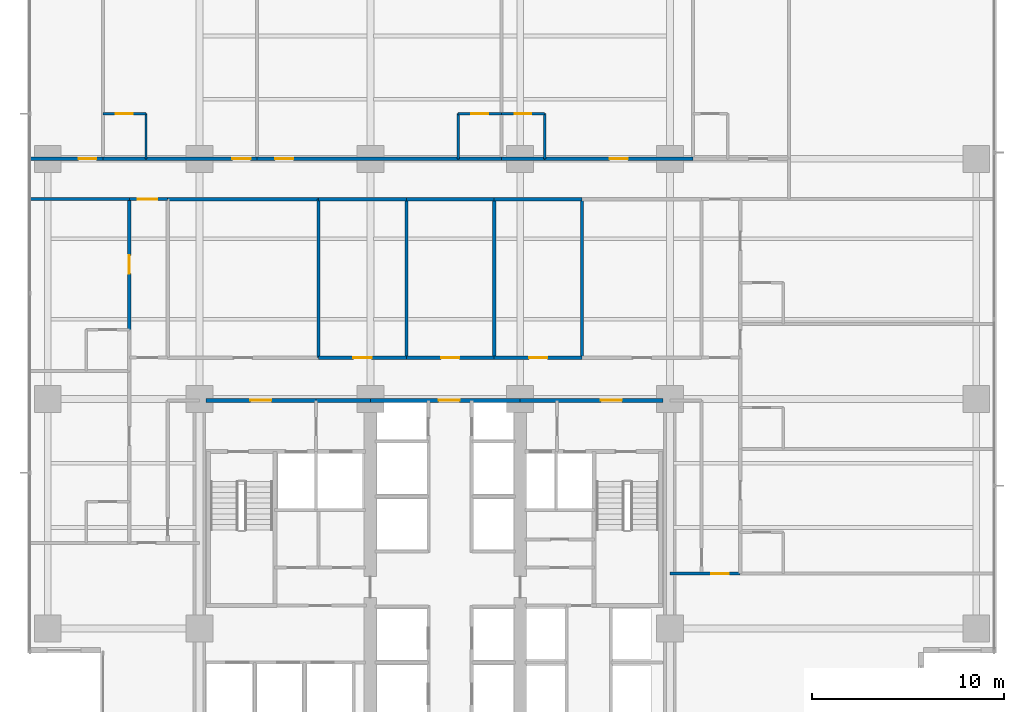
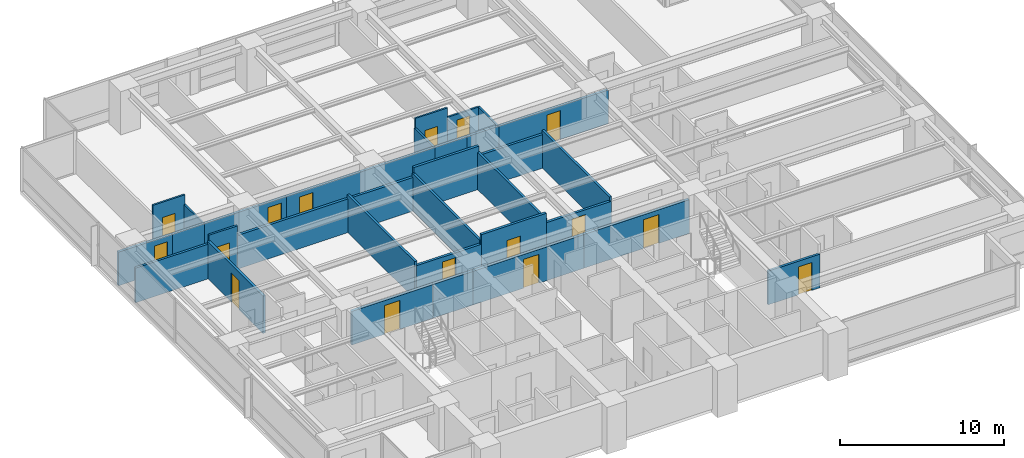
# One storey, part 9 of 16: 32 walls, 16 doors, 16 openings.
"""IFC4 building model written with IfcOpenShell, lengths in metres."""

from ifc_helpers import new_model, si_unit, direction, frame, frame_2d, origin, place, context, subcontext, project, spatial, rectangle, extrude, material, layer, layer_set, type_object, element, fill, save


model = new_model("IFC4")

# Units and contexts
model_context = context("Model", 3, precision=1e-05, world=origin(), true_north=direction((0.0, 1.0)))
body_context = subcontext(model_context, "Body", "Model", "MODEL_VIEW")
ifc_project = project(units=[si_unit("LENGTHUNIT", "METRE"), si_unit("AREAUNIT", "SQUARE_METRE"), si_unit("VOLUMEUNIT", "CUBIC_METRE"), si_unit("PLANEANGLEUNIT", "RADIAN"), si_unit("MASSUNIT", "GRAM", prefix="KILO")], contexts=[model_context])

# Site, building, storey
site_placement = place(None, origin())
site = spatial("IfcSite", under=ifc_project, at=site_placement, CompositionType="ELEMENT")
building_placement = place(site_placement, origin())
building = spatial("IfcBuilding", under=site, at=building_placement, Name="Qalmaran Belvedere Hotel", CompositionType="ELEMENT")
storey_placement = place(building_placement, frame((0.0, 0.0, 43.89990234375)))
storey = spatial("IfcBuildingStorey", under=building, at=storey_placement, Name="L10", CompositionType="ELEMENT", Elevation=43.89990234375)

# Wall, opening, door
ifc_material_1 = material(Name="Moisture-Resistant Gypsum")
ifc_layer_1 = layer(ifc_material_1, 0.1201171875, Name="Moisture-Resistant Gypsum")
ifc_layer_set_1 = layer_set([ifc_layer_1], Name="Moisture-Resistant Gypsum")
wall_type_1 = type_object("IfcWallType", Name="WL-INT-120-BATH", PredefinedType="PARTITIONING", material=ifc_layer_set_1)
wall_1_placement = place(storey_placement, frame((15.27001953125, 35.35009765625, 0.0), z_axis=(0.0, 0.0, 1.0), x_axis=(1.0, 0.0, 0.0)))
wall_1 = element("IfcWall", 1, at=wall_1_placement, inside=storey, type_object=wall_type_1, Name="L10 Partition WL-L10-NBN00", PredefinedType="PARTITIONING", context=body_context, shape_type="SweptSolid", body=[
    extrude(rectangle(XDim=2.25, YDim=0.1201171875, at=frame_2d((1.125, 0.0))), origin(), (0.0, 0.0, 1.0), 3.22021484375),
])
opening_1_placement = place(wall_1_placement, frame((1.56494140625, 0.0, 0.0), z_axis=(0.0, 0.0, 1.0), x_axis=(-1.0, 0.0, 0.0)))
opening_1 = element("IfcOpeningElement", 2, at=opening_1_placement, cuts=wall_1, Name="Opening D-BATH", PredefinedType="OPENING", context=body_context, shape_type="SweptSolid", body=[
    extrude(rectangle(XDim=0.8798828125, YDim=2.080078125, at=frame_2d((0.43994140625, 1.0400390625))), frame((0.0, 0.070068359375, 0.0), z_axis=(0.0, -1.0, 0.0), x_axis=(1.0, 0.0, 0.0)), (0.0, 0.0, 1.0), 0.14013671875),
])
ifc_material_2 = material(Name="Engineered Oak Veneer")
door_type_1 = type_object("IfcDoorType", Name="DR-INT-BATH-880X2080", OperationType="NOTDEFINED", PredefinedType="DOOR", material=ifc_material_2)
door_1_placement = place(opening_1_placement, origin())
door_1 = element("IfcDoor", 3, at=door_1_placement, inside=storey, type_object=door_type_1, Name="L10 Ensuite Bathroom Door N01", OperationType="SINGLE_SWING_LEFT", OverallHeight=2.080078125, OverallWidth=0.8798828125, PredefinedType="DOOR", context=body_context, shape_type="SweptSolid", body=[
    extrude(rectangle(XDim=0.8798828125, YDim=2.080078125, at=frame_2d((0.43994140625, 1.0400390625))), frame((0.0, 0.02490234375, 0.0), z_axis=(0.0, -1.0, 0.0), x_axis=(1.0, 0.0, 0.0)), (0.0, 0.0, 1.0), 0.050048828125),
])
fill(opening_1, door_1)

# Wall
wall_2_placement = place(storey_placement, frame((17.52001953125, 33.0, 0.0), z_axis=(0.0, 0.0, 1.0), x_axis=(0.0, 1.0, 0.0)))
element("IfcWall", 4, at=wall_2_placement, inside=storey, type_object=wall_type_1, Name="L10 Partition WL-L10-NBS00", PredefinedType="PARTITIONING", context=body_context, shape_type="SweptSolid", body=[
    extrude(rectangle(XDim=2.35009765625, YDim=0.1201171875, at=frame_2d((1.175048828125, 0.0))), origin(), (0.0, 0.0, 1.0), 2.510009765625),
])

# Wall, opening, door
wall_3_placement = place(storey_placement, frame((33.773193359375, 35.35009765625, 0.0), z_axis=(0.0, 0.0, 1.0), x_axis=(1.0, 0.0, 0.0)))
wall_3 = element("IfcWall", 5, at=wall_3_placement, inside=storey, type_object=wall_type_1, Name="L10 Partition WL-L10-NBN01", PredefinedType="PARTITIONING", context=body_context, shape_type="SweptSolid", body=[
    extrude(rectangle(XDim=2.25, YDim=0.1201171875, at=frame_2d((1.125, 0.0))), origin(), (0.0, 0.0, 1.0), 3.22021484375),
])
opening_2_placement = place(wall_3_placement, frame((1.56494140625, 0.0, 0.0), z_axis=(0.0, 0.0, 1.0), x_axis=(-1.0, 0.0, 0.0)))
opening_2 = element("IfcOpeningElement", 6, at=opening_2_placement, cuts=wall_3, Name="Opening D-BATH", PredefinedType="OPENING", context=body_context, shape_type="SweptSolid", body=[
    extrude(rectangle(XDim=0.8798828125, YDim=2.080078125, at=frame_2d((0.43994140625, 1.0400390625))), frame((0.0, 0.070068359375, 0.0), z_axis=(0.0, -1.0, 0.0), x_axis=(1.0, 0.0, 0.0)), (0.0, 0.0, 1.0), 0.14013671875),
])
door_2_placement = place(opening_2_placement, origin())
door_2 = element("IfcDoor", 7, at=door_2_placement, inside=storey, type_object=door_type_1, Name="L10 Ensuite Bathroom Door N02", OperationType="SINGLE_SWING_LEFT", OverallHeight=2.080078125, OverallWidth=0.8798828125, PredefinedType="DOOR", context=body_context, shape_type="SweptSolid", body=[
    extrude(rectangle(XDim=0.8798828125, YDim=2.080078125, at=frame_2d((0.43994140625, 1.0400390625))), frame((0.0, 0.02490234375, 0.0), z_axis=(0.0, -1.0, 0.0), x_axis=(1.0, 0.0, 0.0)), (0.0, 0.0, 1.0), 0.050048828125),
])
fill(opening_2, door_2)

# Wall
wall_4_placement = place(storey_placement, frame((33.773193359375, 33.0, 0.0), z_axis=(0.0, 0.0, 1.0), x_axis=(0.0, 1.0, 0.0)))
element("IfcWall", 8, at=wall_4_placement, inside=storey, type_object=wall_type_1, Name="L10 Partition WL-L10-NBS01", PredefinedType="PARTITIONING", context=body_context, shape_type="SweptSolid", body=[
    extrude(rectangle(XDim=2.35009765625, YDim=0.1201171875, at=frame_2d((1.175048828125, 0.0))), origin(), (0.0, 0.0, 1.0), 2.510009765625),
])

# Wall, opening, door
wall_5_placement = place(storey_placement, frame((36.023193359375, 35.35009765625, 0.0), z_axis=(0.0, 0.0, 1.0), x_axis=(1.0, 0.0, 0.0)))
wall_5 = element("IfcWall", 9, at=wall_5_placement, inside=storey, type_object=wall_type_1, Name="L10 Partition WL-L10-NBN02", PredefinedType="PARTITIONING", context=body_context, shape_type="SweptSolid", body=[
    extrude(rectangle(XDim=2.25, YDim=0.1201171875, at=frame_2d((1.125, 0.0))), origin(), (0.0, 0.0, 1.0), 2.510009765625),
])
opening_3_placement = place(wall_5_placement, frame((1.56494140625, 0.0, 0.0), z_axis=(0.0, 0.0, 1.0), x_axis=(-1.0, 0.0, 0.0)))
opening_3 = element("IfcOpeningElement", 10, at=opening_3_placement, cuts=wall_5, Name="Opening D-BATH", PredefinedType="OPENING", context=body_context, shape_type="SweptSolid", body=[
    extrude(rectangle(XDim=0.8798828125, YDim=2.080078125, at=frame_2d((0.43994140625, 1.0400390625))), frame((0.0, 0.070068359375, 0.0), z_axis=(0.0, -1.0, 0.0), x_axis=(1.0, 0.0, 0.0)), (0.0, 0.0, 1.0), 0.14013671875),
])
door_3_placement = place(opening_3_placement, origin())
door_3 = element("IfcDoor", 11, at=door_3_placement, inside=storey, type_object=door_type_1, Name="L10 Ensuite Bathroom Door N03", OperationType="SINGLE_SWING_LEFT", OverallHeight=2.080078125, OverallWidth=0.8798828125, PredefinedType="DOOR", context=body_context, shape_type="SweptSolid", body=[
    extrude(rectangle(XDim=0.8798828125, YDim=2.080078125, at=frame_2d((0.43994140625, 1.0400390625))), frame((0.0, 0.02490234375, 0.0), z_axis=(0.0, -1.0, 0.0), x_axis=(1.0, 0.0, 0.0)), (0.0, 0.0, 1.0), 0.050048828125),
])
fill(opening_3, door_3)

# Wall
wall_6_placement = place(storey_placement, frame((38.273193359375, 33.0, 0.0), z_axis=(0.0, 0.0, 1.0), x_axis=(0.0, 1.0, 0.0)))
element("IfcWall", 12, at=wall_6_placement, inside=storey, type_object=wall_type_1, Name="L10 Partition WL-L10-NBS02", PredefinedType="PARTITIONING", context=body_context, shape_type="SweptSolid", body=[
    extrude(rectangle(XDim=2.35009765625, YDim=0.1201171875, at=frame_2d((1.175048828125, 0.0))), origin(), (0.0, 0.0, 1.0), 2.510009765625),
])

# Wall, opening, door
ifc_material_3 = material(Name="Gypsum Stud Partition")
ifc_layer_2 = layer(ifc_material_3, 0.14990234375, Name="Gypsum Stud Partition")
ifc_layer_set_2 = layer_set([ifc_layer_2], Name="Gypsum Stud Partition")
wall_type_2 = type_object("IfcWallType", Name="WL-INT-150-EI60", PredefinedType="PARTITIONING", material=ifc_layer_set_2)
wall_7_placement = place(storey_placement, frame((16.64990234375, 30.89990234375, 0.0), z_axis=(0.0, 0.0, 1.0), x_axis=(1.0, 0.0, 0.0)))
wall_7 = element("IfcWall", 13, at=wall_7_placement, inside=storey, type_object=wall_type_2, Name="L10 Partition WL-L10-XCW2", PredefinedType="PARTITIONING", context=body_context, shape_type="SweptSolid", body=[
    extrude(rectangle(XDim=2.0, YDim=0.14990234375, at=frame_2d((1.0, 0.0))), origin(), (0.0, 0.0, 1.0), 3.22021484375),
])
opening_4_placement = place(wall_7_placement, frame((0.449951171875, 0.0, 0.0)))
opening_4 = element("IfcOpeningElement", 14, at=opening_4_placement, cuts=wall_7, Name="Opening FD90B", PredefinedType="OPENING", context=body_context, shape_type="SweptSolid", body=[
    extrude(rectangle(XDim=1.0, YDim=2.14990234375, at=frame_2d((0.5, 1.074951171875))), frame((0.0, 0.0849609375, 0.0), z_axis=(0.0, -1.0, 0.0), x_axis=(1.0, 0.0, 0.0)), (0.0, 0.0, 1.0), 0.169921875),
])
ifc_material_4 = material(Name="Steel S355JR", Category="steel")
door_type_2 = type_object("IfcDoorType", Name="DR-FD90B-1000X2150", OperationType="NOTDEFINED", PredefinedType="DOOR", material=ifc_material_4)
door_4_placement = place(opening_4_placement, origin())
door_4 = element("IfcDoor", 15, at=door_4_placement, inside=storey, type_object=door_type_2, Name="L10 West Corridor Smoke Door N", OperationType="SINGLE_SWING_LEFT", OverallHeight=2.14990234375, OverallWidth=1.0, PredefinedType="DOOR", context=body_context, shape_type="SweptSolid", body=[
    extrude(rectangle(XDim=1.0, YDim=2.14990234375, at=frame_2d((0.5, 1.074951171875))), frame((0.0, 0.02490234375, 0.0), z_axis=(0.0, -1.0, 0.0), x_axis=(1.0, 0.0, 0.0)), (0.0, 0.0, 1.0), 0.050048828125),
])
fill(opening_4, door_4)

ifc_layer_3 = layer(ifc_material_3, 0.159912109375, Name="Gypsum Stud Partition")
ifc_layer_set_3 = layer_set([ifc_layer_3], Name="Gypsum Stud Partition")
wall_type_3 = type_object("IfcWallType", Name="WL-INT-160-EI60", PredefinedType="PARTITIONING", material=ifc_layer_set_3)
wall_8_placement = place(storey_placement, frame((44.800048828125, 11.39990234375, 0.0), z_axis=(0.0, 0.0, 1.0), x_axis=(1.0, 0.0, 0.0)))
wall_8 = element("IfcWall", 16, at=wall_8_placement, inside=storey, type_object=wall_type_3, Name="L10 Partition WL-L10-SERL", PredefinedType="PARTITIONING", context=body_context, shape_type="SweptSolid", body=[
    extrude(rectangle(XDim=3.64990234375, YDim=0.159912109375, at=frame_2d((1.824951171875, 0.0))), origin(), (0.0, 0.0, 1.0), 2.510009765625),
])
opening_5_placement = place(wall_8_placement, frame((3.06982421875, 0.0, 0.0), z_axis=(0.0, 0.0, 1.0), x_axis=(-1.0, 0.0, 0.0)))
opening_5 = element("IfcOpeningElement", 17, at=opening_5_placement, cuts=wall_8, Name="Opening FD60S1", PredefinedType="OPENING", context=body_context, shape_type="SweptSolid", body=[
    extrude(rectangle(XDim=0.919921875, YDim=2.080078125, at=frame_2d((0.4599609375, 1.0400390625))), frame((0.0, 0.08984375, 0.0), z_axis=(0.0, -1.0, 0.0), x_axis=(1.0, 0.0, 0.0)), (0.0, 0.0, 1.0), 0.179931640625),
])
door_type_3 = type_object("IfcDoorType", Name="DR-FD60S-920X2080", OperationType="NOTDEFINED", PredefinedType="DOOR", material=ifc_material_2)
door_5_placement = place(opening_5_placement, origin())
door_5 = element("IfcDoor", 18, at=door_5_placement, inside=storey, type_object=door_type_3, Name="L10 SE Lounge Door", OperationType="SINGLE_SWING_LEFT", OverallHeight=2.080078125, OverallWidth=0.919921875, PredefinedType="DOOR", context=body_context, shape_type="SweptSolid", body=[
    extrude(rectangle(XDim=0.919921875, YDim=2.080078125, at=frame_2d((0.4599609375, 1.0400390625))), frame((0.0, 0.02490234375, 0.0), z_axis=(0.0, -1.0, 0.0), x_axis=(1.0, 0.0, 0.0)), (0.0, 0.0, 1.0), 0.050048828125),
])
fill(opening_5, door_5)

# Walls
for number, where, z_axis, x_axis, name in (
    (19, (26.5, 22.64990234375, 0.0), (0.0, 0.0, 1.0), (0.0, 1.0, 0.0), "L10 Partition WL-L10-MIDVR1"),
    (20, (31.074951171875, 22.64990234375, 0.0), (0.0, 0.0, 1.0), (0.0, 1.0, 0.0), "L10 Partition WL-L10-MIDVR2"),
    (21, (35.64990234375, 22.64990234375, 0.0), (0.0, 0.0, 1.0), (0.0, 1.0, 0.0), "L10 Partition WL-L10-MIDVR3"),
    (22, (40.22509765625, 22.64990234375, 0.0), (0.0, 0.0, 1.0), (0.0, 1.0, 0.0), "L10 Partition WL-L10-MIDVR4"),
):
    element("IfcWall", number, at=place(storey_placement, frame(where, z_axis=z_axis, x_axis=x_axis)), inside=storey, type_object=wall_type_3, Name=name, PredefinedType="PARTITIONING", context=body_context, shape_type="SweptSolid", body=[
        extrude(rectangle(XDim=8.25, YDim=0.159912109375, at=frame_2d((4.125, 0.0))), origin(), (0.0, 0.0, 1.0), 2.7880859375),
    ])
wall_9_placement = place(storey_placement, frame((11.469970703125, 30.89990234375, 0.0), z_axis=(0.0, 0.0, 1.0), x_axis=(1.0, 0.0, 0.0)))
element("IfcWall", 23, at=wall_9_placement, inside=storey, type_object=wall_type_3, Name="L10 Partition WL-L10-WU01", PredefinedType="PARTITIONING", context=body_context, shape_type="SweptSolid", body=[
    extrude(rectangle(XDim=5.179931640625, YDim=0.159912109375, at=frame_2d((2.58984375, 0.0))), origin(), (0.0, 0.0, 1.0), 2.5830078125),
])
ifc_layer_4 = layer(ifc_material_3, 0.179931640625, Name="Gypsum Stud Partition")
ifc_layer_set_4 = layer_set([ifc_layer_4], Name="Gypsum Stud Partition")
wall_type_4 = type_object("IfcWallType", Name="WL-INT-180-EI60", PredefinedType="PARTITIONING", material=ifc_layer_set_4)
wall_10_placement = place(storey_placement, frame((18.64990234375, 30.89990234375, 0.0), z_axis=(0.0, 0.0, 1.0), x_axis=(1.0, 0.0, 0.0)))
element("IfcWall", 24, at=wall_10_placement, inside=storey, type_object=wall_type_4, Name="L10 Partition WL-L10-MIDO1", PredefinedType="PARTITIONING", context=body_context, shape_type="SweptSolid", body=[
    extrude(rectangle(XDim=7.85009765625, YDim=0.179931640625, at=frame_2d((3.925048828125, 0.0))), origin(), (0.0, 0.0, 1.0), 2.510009765625),
])

# Wall, opening, door
wall_11_placement = place(storey_placement, frame((26.5, 22.64990234375, 0.0), z_axis=(0.0, 0.0, 1.0), x_axis=(1.0, 0.0, 0.0)))
wall_11 = element("IfcWall", 25, at=wall_11_placement, inside=storey, type_object=wall_type_4, Name="L10 Partition WL-L10-MIDD2", PredefinedType="PARTITIONING", context=body_context, shape_type="SweptSolid", body=[
    extrude(rectangle(XDim=4.574951171875, YDim=0.179931640625, at=frame_2d((2.28759765625, 0.0))), origin(), (0.0, 0.0, 1.0), 2.510009765625),
])
opening_6_placement = place(wall_11_placement, frame((1.8125, 0.0, 0.0)))
opening_6 = element("IfcOpeningElement", 26, at=opening_6_placement, cuts=wall_11, Name="Opening FD60", PredefinedType="OPENING", context=body_context, shape_type="SweptSolid", body=[
    extrude(rectangle(XDim=0.949951171875, YDim=2.14990234375, at=frame_2d((0.47509765625, 1.074951171875))), frame((0.0, 0.10009765625, 0.0), z_axis=(0.0, -1.0, 0.0), x_axis=(1.0, 0.0, 0.0)), (0.0, 0.0, 1.0), 0.199951171875),
])
door_type_4 = type_object("IfcDoorType", Name="DR-FD60-950X2150", OperationType="NOTDEFINED", PredefinedType="DOOR", material=ifc_material_2)
door_6_placement = place(opening_6_placement, origin())
door_6 = element("IfcDoor", 27, at=door_6_placement, inside=storey, type_object=door_type_4, Name="L10 Valet Closet Door", OperationType="SINGLE_SWING_LEFT", OverallHeight=2.14990234375, OverallWidth=0.949951171875, PredefinedType="DOOR", context=body_context, shape_type="SweptSolid", body=[
    extrude(rectangle(XDim=0.949951171875, YDim=2.14990234375, at=frame_2d((0.47509765625, 1.074951171875))), frame((0.0, 0.02490234375, 0.0), z_axis=(0.0, -1.0, 0.0), x_axis=(1.0, 0.0, 0.0)), (0.0, 0.0, 1.0), 0.050048828125),
])
fill(opening_6, door_6)

# Wall
wall_12_placement = place(storey_placement, frame((26.5, 30.89990234375, 0.0), z_axis=(0.0, 0.0, 1.0), x_axis=(1.0, 0.0, 0.0)))
element("IfcWall", 28, at=wall_12_placement, inside=storey, type_object=wall_type_4, Name="L10 Partition WL-L10-MIDO2", PredefinedType="PARTITIONING", context=body_context, shape_type="SweptSolid", body=[
    extrude(rectangle(XDim=4.574951171875, YDim=0.179931640625, at=frame_2d((2.28759765625, 0.0))), origin(), (0.0, 0.0, 1.0), 2.510009765625),
])

# Wall, opening, door
wall_13_placement = place(storey_placement, frame((31.074951171875, 22.64990234375, 0.0), z_axis=(0.0, 0.0, 1.0), x_axis=(1.0, 0.0, 0.0)))
wall_13 = element("IfcWall", 29, at=wall_13_placement, inside=storey, type_object=wall_type_4, Name="L10 Partition WL-L10-MIDD3", PredefinedType="PARTITIONING", context=body_context, shape_type="SweptSolid", body=[
    extrude(rectangle(XDim=4.574951171875, YDim=0.179931640625, at=frame_2d((2.28759765625, 0.0))), origin(), (0.0, 0.0, 1.0), 3.22021484375),
])
opening_7_placement = place(wall_13_placement, frame((1.8125, 0.0, 0.0)))
opening_7 = element("IfcOpeningElement", 30, at=opening_7_placement, cuts=wall_13, Name="Opening FD60", PredefinedType="OPENING", context=body_context, shape_type="SweptSolid", body=[
    extrude(rectangle(XDim=0.949951171875, YDim=2.14990234375, at=frame_2d((0.47509765625, 1.074951171875))), frame((0.0, 0.10009765625, 0.0), z_axis=(0.0, -1.0, 0.0), x_axis=(1.0, 0.0, 0.0)), (0.0, 0.0, 1.0), 0.199951171875),
])
door_7_placement = place(opening_7_placement, origin())
door_7 = element("IfcDoor", 31, at=door_7_placement, inside=storey, type_object=door_type_4, Name="L10 Luggage Store Door", OperationType="SINGLE_SWING_RIGHT", OverallHeight=2.14990234375, OverallWidth=0.949951171875, PredefinedType="DOOR", context=body_context, shape_type="SweptSolid", body=[
    extrude(rectangle(XDim=0.949951171875, YDim=2.14990234375, at=frame_2d((0.47509765625, 1.074951171875))), frame((0.0, 0.02490234375, 0.0), z_axis=(0.0, -1.0, 0.0), x_axis=(1.0, 0.0, 0.0)), (0.0, 0.0, 1.0), 0.050048828125),
])
fill(opening_7, door_7)

# Wall
wall_14_placement = place(storey_placement, frame((31.074951171875, 30.89990234375, 0.0), z_axis=(0.0, 0.0, 1.0), x_axis=(1.0, 0.0, 0.0)))
element("IfcWall", 32, at=wall_14_placement, inside=storey, type_object=wall_type_4, Name="L10 Partition WL-L10-MIDO3", PredefinedType="PARTITIONING", context=body_context, shape_type="SweptSolid", body=[
    extrude(rectangle(XDim=4.574951171875, YDim=0.179931640625, at=frame_2d((2.28759765625, 0.0))), origin(), (0.0, 0.0, 1.0), 3.22021484375),
])

# Wall, opening, door
wall_15_placement = place(storey_placement, frame((35.64990234375, 22.64990234375, 0.0), z_axis=(0.0, 0.0, 1.0), x_axis=(1.0, 0.0, 0.0)))
wall_15 = element("IfcWall", 33, at=wall_15_placement, inside=storey, type_object=wall_type_4, Name="L10 Partition WL-L10-MIDD4", PredefinedType="PARTITIONING", context=body_context, shape_type="SweptSolid", body=[
    extrude(rectangle(XDim=4.5751953125, YDim=0.179931640625, at=frame_2d((2.28759765625, 0.0))), origin(), (0.0, 0.0, 1.0), 2.510009765625),
])
opening_8_placement = place(wall_15_placement, frame((1.8125, 0.0, 0.0)))
opening_8 = element("IfcOpeningElement", 34, at=opening_8_placement, cuts=wall_15, Name="Opening FD60", PredefinedType="OPENING", context=body_context, shape_type="SweptSolid", body=[
    extrude(rectangle(XDim=0.949951171875, YDim=2.14990234375, at=frame_2d((0.47509765625, 1.074951171875))), frame((0.0, 0.10009765625, 0.0), z_axis=(0.0, -1.0, 0.0), x_axis=(1.0, 0.0, 0.0)), (0.0, 0.0, 1.0), 0.199951171875),
])
door_8_placement = place(opening_8_placement, origin())
door_8 = element("IfcDoor", 35, at=door_8_placement, inside=storey, type_object=door_type_4, Name="L10 Linen Store Door", OperationType="SINGLE_SWING_LEFT", OverallHeight=2.14990234375, OverallWidth=0.949951171875, PredefinedType="DOOR", context=body_context, shape_type="SweptSolid", body=[
    extrude(rectangle(XDim=0.949951171875, YDim=2.14990234375, at=frame_2d((0.47509765625, 1.074951171875))), frame((0.0, 0.02490234375, 0.0), z_axis=(0.0, -1.0, 0.0), x_axis=(1.0, 0.0, 0.0)), (0.0, 0.0, 1.0), 0.050048828125),
])
fill(opening_8, door_8)

# Walls
wall_16_placement = place(storey_placement, frame((35.64990234375, 30.89990234375, 0.0), z_axis=(0.0, 0.0, 1.0), x_axis=(1.0, 0.0, 0.0)))
element("IfcWall", 36, at=wall_16_placement, inside=storey, type_object=wall_type_4, Name="L10 Partition WL-L10-MIDO4", PredefinedType="PARTITIONING", context=body_context, shape_type="SweptSolid", body=[
    extrude(rectangle(XDim=4.5751953125, YDim=0.179931640625, at=frame_2d((2.28759765625, 0.0))), origin(), (0.0, 0.0, 1.0), 2.510009765625),
])
wall_17_placement = place(storey_placement, frame((15.27001953125, 33.0, 0.0), z_axis=(0.0, 0.0, 1.0), x_axis=(1.0, 0.0, 0.0)))
element("IfcWall", 37, at=wall_17_placement, inside=storey, type_object=wall_type_4, Name="L10 Partition WL-L10-NBC00", PredefinedType="PARTITIONING", context=body_context, shape_type="SweptSolid", body=[
    extrude(rectangle(XDim=2.25, YDim=0.179931640625, at=frame_2d((1.125, 0.0))), origin(), (0.0, 0.0, 1.0), 2.510009765625),
])

# Wall, opening, door
wall_18_placement = place(storey_placement, frame((17.52001953125, 33.0, 0.0), z_axis=(0.0, 0.0, 1.0), x_axis=(1.0, 0.0, 0.0)))
wall_18 = element("IfcWall", 38, at=wall_18_placement, inside=storey, type_object=wall_type_4, Name="L10 Partition WL-L10-NEC00", PredefinedType="PARTITIONING", context=body_context, shape_type="SweptSolid", body=[
    extrude(rectangle(XDim=5.780029296875, YDim=0.179931640625, at=frame_2d((2.89013671875, 0.0))), origin(), (0.0, 0.0, 1.0), 2.510009765625),
])
opening_9_placement = place(wall_18_placement, frame((4.491455078125, 0.0, 0.0)))
opening_9 = element("IfcOpeningElement", 39, at=opening_9_placement, cuts=wall_18, Name="Opening FD60", PredefinedType="OPENING", context=body_context, shape_type="SweptSolid", body=[
    extrude(rectangle(XDim=0.949951171875, YDim=2.14990234375, at=frame_2d((0.47509765625, 1.074951171875))), frame((0.0, 0.10009765625, 0.0), z_axis=(0.0, -1.0, 0.0), x_axis=(1.0, 0.0, 0.0)), (0.0, 0.0, 1.0), 0.199951171875),
])
door_9_placement = place(opening_9_placement, origin())
door_9 = element("IfcDoor", 40, at=door_9_placement, inside=storey, type_object=door_type_4, Name="L10 Guest Entrance Door N01", OperationType="SINGLE_SWING_RIGHT", OverallHeight=2.14990234375, OverallWidth=0.949951171875, PredefinedType="DOOR", context=body_context, shape_type="SweptSolid", body=[
    extrude(rectangle(XDim=0.949951171875, YDim=2.14990234375, at=frame_2d((0.47509765625, 1.074951171875))), frame((0.0, 0.02490234375, 0.0), z_axis=(0.0, -1.0, 0.0), x_axis=(1.0, 0.0, 0.0)), (0.0, 0.0, 1.0), 0.050048828125),
])
fill(opening_9, door_9)

# Wall
wall_19_placement = place(storey_placement, frame((33.773193359375, 33.0, 0.0), z_axis=(0.0, 0.0, 1.0), x_axis=(1.0, 0.0, 0.0)))
element("IfcWall", 41, at=wall_19_placement, inside=storey, type_object=wall_type_4, Name="L10 Partition WL-L10-NBC01", PredefinedType="PARTITIONING", context=body_context, shape_type="SweptSolid", body=[
    extrude(rectangle(XDim=2.25, YDim=0.179931640625, at=frame_2d((1.125, 0.0))), origin(), (0.0, 0.0, 1.0), 2.510009765625),
])

# Wall, opening, door
wall_20_placement = place(storey_placement, frame((23.300048828125, 33.0, 0.0), z_axis=(0.0, 0.0, 1.0), x_axis=(1.0, 0.0, 0.0)))
wall_20 = element("IfcWall", 42, at=wall_20_placement, inside=storey, type_object=wall_type_4, Name="L10 Partition WL-L10-NEC01", PredefinedType="PARTITIONING", context=body_context, shape_type="SweptSolid", body=[
    extrude(rectangle(XDim=10.47314453125, YDim=0.179931640625, at=frame_2d((5.236572265625, 0.0))), origin(), (0.0, 0.0, 1.0), 2.510009765625),
])
opening_10_placement = place(wall_20_placement, frame((0.93701171875, 0.0, 0.0)))
opening_10 = element("IfcOpeningElement", 43, at=opening_10_placement, cuts=wall_20, Name="Opening FD60", PredefinedType="OPENING", context=body_context, shape_type="SweptSolid", body=[
    extrude(rectangle(XDim=0.949951171875, YDim=2.14990234375, at=frame_2d((0.47509765625, 1.074951171875))), frame((0.0, 0.10009765625, 0.0), z_axis=(0.0, -1.0, 0.0), x_axis=(1.0, 0.0, 0.0)), (0.0, 0.0, 1.0), 0.199951171875),
])
door_10_placement = place(opening_10_placement, origin())
door_10 = element("IfcDoor", 44, at=door_10_placement, inside=storey, type_object=door_type_4, Name="L10 Guest Entrance Door N02", OperationType="SINGLE_SWING_RIGHT", OverallHeight=2.14990234375, OverallWidth=0.949951171875, PredefinedType="DOOR", context=body_context, shape_type="SweptSolid", body=[
    extrude(rectangle(XDim=0.949951171875, YDim=2.14990234375, at=frame_2d((0.47509765625, 1.074951171875))), frame((0.0, 0.02490234375, 0.0), z_axis=(0.0, -1.0, 0.0), x_axis=(1.0, 0.0, 0.0)), (0.0, 0.0, 1.0), 0.050048828125),
])
fill(opening_10, door_10)

# Wall
wall_21_placement = place(storey_placement, frame((36.023193359375, 33.0, 0.0), z_axis=(0.0, 0.0, 1.0), x_axis=(1.0, 0.0, 0.0)))
element("IfcWall", 45, at=wall_21_placement, inside=storey, type_object=wall_type_4, Name="L10 Partition WL-L10-NBC02", PredefinedType="PARTITIONING", context=body_context, shape_type="SweptSolid", body=[
    extrude(rectangle(XDim=2.25, YDim=0.179931640625, at=frame_2d((1.125, 0.0))), origin(), (0.0, 0.0, 1.0), 2.510009765625),
])

# Wall, opening, door
wall_22_placement = place(storey_placement, frame((38.273193359375, 33.0, 0.0), z_axis=(0.0, 0.0, 1.0), x_axis=(1.0, 0.0, 0.0)))
wall_22 = element("IfcWall", 46, at=wall_22_placement, inside=storey, type_object=wall_type_4, Name="L10 Partition WL-L10-NEC02", PredefinedType="PARTITIONING", context=body_context, shape_type="SweptSolid", body=[
    extrude(rectangle(XDim=7.7275390625, YDim=0.179931640625, at=frame_2d((3.86376953125, 0.0))), origin(), (0.0, 0.0, 1.0), 2.510009765625),
])
opening_11_placement = place(wall_22_placement, frame((3.388671875, 0.0, 0.0)))
opening_11 = element("IfcOpeningElement", 47, at=opening_11_placement, cuts=wall_22, Name="Opening FD60", PredefinedType="OPENING", context=body_context, shape_type="SweptSolid", body=[
    extrude(rectangle(XDim=0.949951171875, YDim=2.14990234375, at=frame_2d((0.47509765625, 1.074951171875))), frame((0.0, 0.10009765625, 0.0), z_axis=(0.0, -1.0, 0.0), x_axis=(1.0, 0.0, 0.0)), (0.0, 0.0, 1.0), 0.199951171875),
])
door_11_placement = place(opening_11_placement, origin())
door_11 = element("IfcDoor", 48, at=door_11_placement, inside=storey, type_object=door_type_4, Name="L10 Guest Entrance Door N03", OperationType="SINGLE_SWING_RIGHT", OverallHeight=2.14990234375, OverallWidth=0.949951171875, PredefinedType="DOOR", context=body_context, shape_type="SweptSolid", body=[
    extrude(rectangle(XDim=0.949951171875, YDim=2.14990234375, at=frame_2d((0.47509765625, 1.074951171875))), frame((0.0, 0.02490234375, 0.0), z_axis=(0.0, -1.0, 0.0), x_axis=(1.0, 0.0, 0.0)), (0.0, 0.0, 1.0), 0.050048828125),
])
fill(opening_11, door_11)

wall_23_placement = place(storey_placement, frame((16.64990234375, 24.10009765625, 0.0), z_axis=(0.0, 0.0, 1.0), x_axis=(0.0, 1.0, 0.0)))
wall_23 = element("IfcWall", 49, at=wall_23_placement, inside=storey, type_object=wall_type_4, Name="L10 Partition WL-L10-WEC01", PredefinedType="PARTITIONING", context=body_context, shape_type="SweptSolid", body=[
    extrude(rectangle(XDim=6.7998046875, YDim=0.179931640625, at=frame_2d((3.39990234375, 0.0))), origin(), (0.0, 0.0, 1.0), 2.7880859375),
])
opening_12_placement = place(wall_23_placement, frame((2.925048828125, 0.0, 0.0)))
opening_12 = element("IfcOpeningElement", 50, at=opening_12_placement, cuts=wall_23, Name="Opening FD60", PredefinedType="OPENING", context=body_context, shape_type="SweptSolid", body=[
    extrude(rectangle(XDim=0.949951171875, YDim=2.14990234375, at=frame_2d((0.47509765625, 1.074951171875))), frame((0.0, 0.10009765625, 0.0), z_axis=(0.0, -1.0, 0.0), x_axis=(1.0, 0.0, 0.0)), (0.0, 0.0, 1.0), 0.199951171875),
])
door_12_placement = place(opening_12_placement, origin())
door_12 = element("IfcDoor", 51, at=door_12_placement, inside=storey, type_object=door_type_4, Name="L10 W Wing Door 02", OperationType="SINGLE_SWING_RIGHT", OverallHeight=2.14990234375, OverallWidth=0.949951171875, PredefinedType="DOOR", context=body_context, shape_type="SweptSolid", body=[
    extrude(rectangle(XDim=0.949951171875, YDim=2.14990234375, at=frame_2d((0.47509765625, 1.074951171875))), frame((0.0, 0.02490234375, 0.0), z_axis=(0.0, -1.0, 0.0), x_axis=(1.0, 0.0, 0.0)), (0.0, 0.0, 1.0), 0.050048828125),
])
fill(opening_12, door_12)

wall_24_placement = place(storey_placement, frame((11.469970703125, 33.0, 0.0), z_axis=(0.0, 0.0, 1.0), x_axis=(1.0, 0.0, 0.0)))
wall_24 = element("IfcWall", 52, at=wall_24_placement, inside=storey, type_object=wall_type_4, Name="L10 Partition WL-L10-NWSD", PredefinedType="PARTITIONING", context=body_context, shape_type="SweptSolid", body=[
    extrude(rectangle(XDim=3.800048828125, YDim=0.179931640625, at=frame_2d((1.89990234375, 0.0))), origin(), (0.0, 0.0, 1.0), 2.510009765625),
])
opening_13_placement = place(wall_24_placement, frame((2.543701171875, 0.0, 0.0)))
opening_13 = element("IfcOpeningElement", 53, at=opening_13_placement, cuts=wall_24, Name="Opening FD60S1", PredefinedType="OPENING", context=body_context, shape_type="SweptSolid", body=[
    extrude(rectangle(XDim=0.919921875, YDim=2.080078125, at=frame_2d((0.4599609375, 1.0400390625))), frame((0.0, 0.10009765625, 0.0), z_axis=(0.0, -1.0, 0.0), x_axis=(1.0, 0.0, 0.0)), (0.0, 0.0, 1.0), 0.199951171875),
])
door_13_placement = place(opening_13_placement, origin())
door_13 = element("IfcDoor", 54, at=door_13_placement, inside=storey, type_object=door_type_3, Name="L10 NW Belvedere Study Door", OperationType="SINGLE_SWING_LEFT", OverallHeight=2.080078125, OverallWidth=0.919921875, PredefinedType="DOOR", context=body_context, shape_type="SweptSolid", body=[
    extrude(rectangle(XDim=0.919921875, YDim=2.080078125, at=frame_2d((0.4599609375, 1.0400390625))), frame((0.0, 0.02490234375, 0.0), z_axis=(0.0, -1.0, 0.0), x_axis=(1.0, 0.0, 0.0)), (0.0, 0.0, 1.0), 0.050048828125),
])
fill(opening_13, door_13)

ifc_material_5 = material(Name="Concrete C30/37 Blockwork", Category="masonry")
ifc_layer_5 = layer(ifc_material_5, 0.199951171875, Name="Concrete C30/37 Blockwork")
ifc_layer_set_5 = layer_set([ifc_layer_5], Name="Concrete C30/37 Blockwork")
wall_type_5 = type_object("IfcWallType", Name="WL-INT-200-EI120", PredefinedType="PARTITIONING", material=ifc_layer_set_5)
wall_25_placement = place(storey_placement, frame((20.64990234375, 20.419921875, 0.0), z_axis=(0.0, 0.0, 1.0), x_axis=(1.0, 0.0, 0.0)))
wall_25 = element("IfcWall", 55, at=wall_25_placement, inside=storey, type_object=wall_type_5, Name="L10 Partition WL-CN1A-L10", PredefinedType="PARTITIONING", context=body_context, shape_type="SweptSolid", body=[
    extrude(rectangle(XDim=5.72998046875, YDim=0.199951171875, at=frame_2d((2.864990234375, 0.0))), origin(), (0.0, 0.0, 1.0), 2.510009765625),
])
opening_14_placement = place(wall_25_placement, frame((2.300048828125, 0.0, 0.0)))
opening_14 = element("IfcOpeningElement", 56, at=opening_14_placement, cuts=wall_25, Name="Opening FD90", PredefinedType="OPENING", context=body_context, shape_type="SweptSolid", body=[
    extrude(rectangle(XDim=1.10009765625, YDim=2.14990234375, at=frame_2d((0.550048828125, 1.074951171875))), frame((0.0, 0.10986328125, 0.0), z_axis=(0.0, -1.0, 0.0), x_axis=(1.0, 0.0, 0.0)), (0.0, 0.0, 1.0), 0.219970703125),
])
door_type_5 = type_object("IfcDoorType", Name="DR-FD90-1100X2150", OperationType="NOTDEFINED", PredefinedType="DOOR", material=ifc_material_4)
door_14_placement = place(opening_14_placement, origin())
door_14 = element("IfcDoor", 57, at=door_14_placement, inside=storey, type_object=door_type_5, Name="L10 FF1 Lobby Corridor Door", OperationType="SINGLE_SWING_LEFT", OverallHeight=2.14990234375, OverallWidth=1.10009765625, PredefinedType="DOOR", context=body_context, shape_type="SweptSolid", body=[
    extrude(rectangle(XDim=1.10009765625, YDim=2.14990234375, at=frame_2d((0.550048828125, 1.074951171875))), frame((0.0, 0.02490234375, 0.0), z_axis=(0.0, -1.0, 0.0), x_axis=(1.0, 0.0, 0.0)), (0.0, 0.0, 1.0), 0.050048828125),
])
fill(opening_14, door_14)

# Wall
wall_26_placement = place(storey_placement, frame((26.3798828125, 20.419921875, 0.0), z_axis=(0.0, 0.0, 1.0), x_axis=(1.0, 0.0, 0.0)))
element("IfcWall", 58, at=wall_26_placement, inside=storey, type_object=wall_type_5, Name="L10 Partition WL-CN1B-L10", PredefinedType="PARTITIONING", context=body_context, shape_type="SweptSolid", body=[
    extrude(rectangle(XDim=2.820068359375, YDim=0.199951171875, at=frame_2d((1.41015625, 0.0))), origin(), (0.0, 0.0, 1.0), 2.510009765625),
])

# Wall, opening, door
wall_27_placement = place(storey_placement, frame((29.199951171875, 20.419921875, 0.0), z_axis=(0.0, 0.0, 1.0), x_axis=(1.0, 0.0, 0.0)))
wall_27 = element("IfcWall", 59, at=wall_27_placement, inside=storey, type_object=wall_type_5, Name="L10 Partition WL-CN2-L10", PredefinedType="PARTITIONING", context=body_context, shape_type="SweptSolid", body=[
    extrude(rectangle(XDim=7.800048828125, YDim=0.199951171875, at=frame_2d((3.89990234375, 0.0))), origin(), (0.0, 0.0, 1.0), 2.510009765625),
])
opening_15_placement = place(wall_27_placement, frame((3.550048828125, 0.0, 0.0)))
opening_15 = element("IfcOpeningElement", 60, at=opening_15_placement, cuts=wall_27, Name="Opening FD90", PredefinedType="OPENING", context=body_context, shape_type="SweptSolid", body=[
    extrude(rectangle(XDim=1.10009765625, YDim=2.14990234375, at=frame_2d((0.550048828125, 1.074951171875))), frame((0.0, 0.10986328125, 0.0), z_axis=(0.0, -1.0, 0.0), x_axis=(1.0, 0.0, 0.0)), (0.0, 0.0, 1.0), 0.219970703125),
])
door_15_placement = place(opening_15_placement, origin())
door_15 = element("IfcDoor", 61, at=door_15_placement, inside=storey, type_object=door_type_5, Name="L10 Central Lift Lobby Door", OperationType="SINGLE_SWING_RIGHT", OverallHeight=2.14990234375, OverallWidth=1.10009765625, PredefinedType="DOOR", context=body_context, shape_type="SweptSolid", body=[
    extrude(rectangle(XDim=1.10009765625, YDim=2.14990234375, at=frame_2d((0.550048828125, 1.074951171875))), frame((0.0, 0.02490234375, 0.0), z_axis=(0.0, -1.0, 0.0), x_axis=(1.0, 0.0, 0.0)), (0.0, 0.0, 1.0), 0.050048828125),
])
fill(opening_15, door_15)

wall_28_placement = place(storey_placement, frame((37.0, 20.419921875, 0.0), z_axis=(0.0, 0.0, 1.0), x_axis=(1.0, 0.0, 0.0)))
wall_28 = element("IfcWall", 62, at=wall_28_placement, inside=storey, type_object=wall_type_5, Name="L10 Partition WL-CN3-L10", PredefinedType="PARTITIONING", context=body_context, shape_type="SweptSolid", body=[
    extrude(rectangle(XDim=7.449951171875, YDim=0.199951171875, at=frame_2d((3.72509765625, 0.0))), origin(), (0.0, 0.0, 1.0), 2.510009765625),
])
opening_16_placement = place(wall_28_placement, frame((4.199951171875, 0.0, 0.0)))
opening_16 = element("IfcOpeningElement", 63, at=opening_16_placement, cuts=wall_28, Name="Opening FD90", PredefinedType="OPENING", context=body_context, shape_type="SweptSolid", body=[
    extrude(rectangle(XDim=1.10009765625, YDim=2.14990234375, at=frame_2d((0.550048828125, 1.074951171875))), frame((0.0, 0.10986328125, 0.0), z_axis=(0.0, -1.0, 0.0), x_axis=(1.0, 0.0, 0.0)), (0.0, 0.0, 1.0), 0.219970703125),
])
door_16_placement = place(opening_16_placement, origin())
door_16 = element("IfcDoor", 64, at=door_16_placement, inside=storey, type_object=door_type_5, Name="L10 FF2 Lobby Corridor Door", OperationType="SINGLE_SWING_LEFT", OverallHeight=2.14990234375, OverallWidth=1.10009765625, PredefinedType="DOOR", context=body_context, shape_type="SweptSolid", body=[
    extrude(rectangle(XDim=1.10009765625, YDim=2.14990234375, at=frame_2d((0.550048828125, 1.074951171875))), frame((0.0, 0.02490234375, 0.0), z_axis=(0.0, -1.0, 0.0), x_axis=(1.0, 0.0, 0.0)), (0.0, 0.0, 1.0), 0.050048828125),
])
fill(opening_16, door_16)

save(model, "model.ifc")
